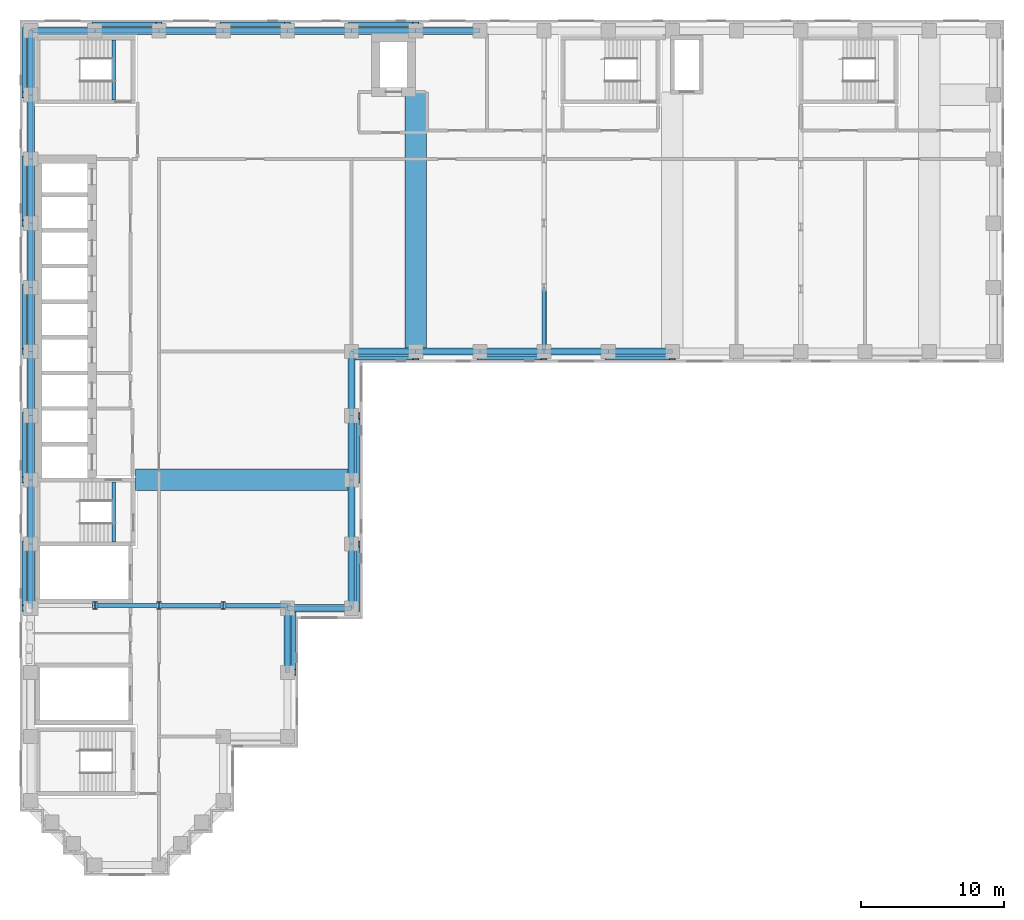
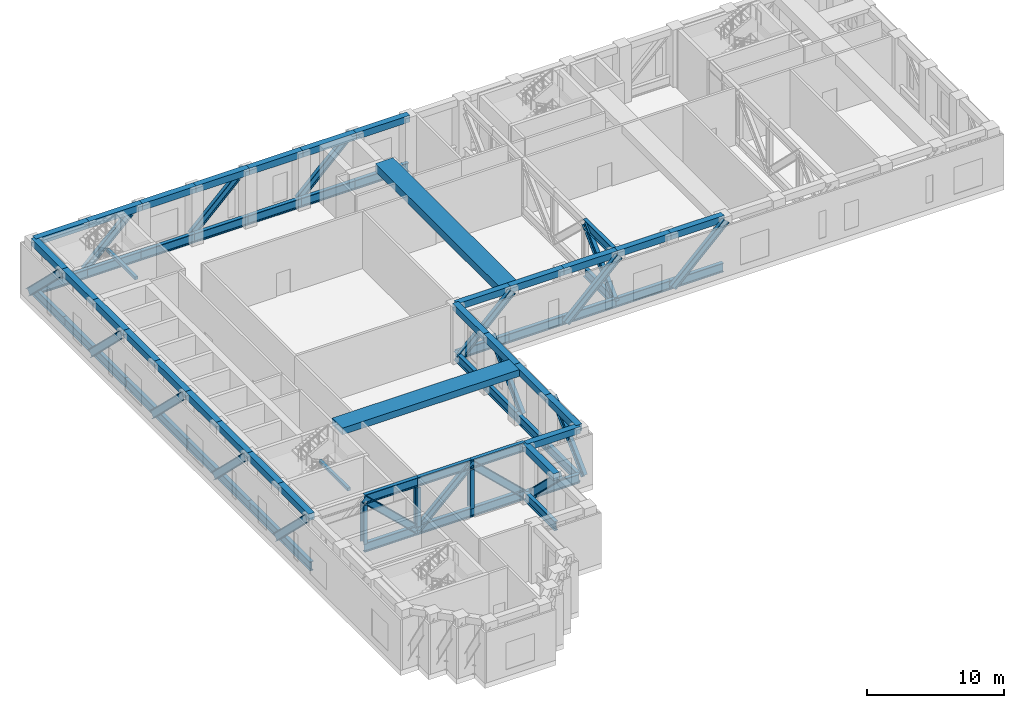
# One storey, part 2 of 14: 56 members, 31 beams.
"""IFC4 building model written with IfcOpenShell, lengths in metres."""

from ifc_helpers import new_model, si_unit, direction, frame, origin, origin_2d, place, context, subcontext, project, spatial, rectangle, i_section, extrude, material, material_profile, profile_set, type_object, element, save


model = new_model("IFC4")

# Units and contexts
model_context = context("Model", 3, precision=1e-05, world=origin(), true_north=direction((0.0, 1.0)))
body_context = subcontext(model_context, "Body", "Model", "MODEL_VIEW")
ifc_project = project(units=[si_unit("LENGTHUNIT", "METRE"), si_unit("AREAUNIT", "SQUARE_METRE"), si_unit("VOLUMEUNIT", "CUBIC_METRE"), si_unit("PLANEANGLEUNIT", "RADIAN"), si_unit("MASSUNIT", "GRAM", prefix="KILO")], contexts=[model_context])

# Site, building, storey
site_placement = place(None, origin())
site = spatial("IfcSite", under=ifc_project, at=site_placement, CompositionType="ELEMENT")
building_placement = place(site_placement, origin())
building = spatial("IfcBuilding", under=site, at=building_placement, Name="Firuza Court", CompositionType="ELEMENT")
storey_placement = place(building_placement, frame((0.0, 0.0, 173.60009765625)))
storey = spatial("IfcBuildingStorey", under=building, at=storey_placement, Name="L44", CompositionType="ELEMENT", Elevation=173.60009765625)

# Beams
ifc_material_1 = material(Name="Concrete C40/50", Category="concrete")
ifc_material_profile_1 = material_profile(ifc_material_1, rectangle(XDim=1.5, YDim=0.60009765625, at=origin_2d()), Name="RC 1500x600")
ifc_profile_set_1 = profile_set([ifc_material_profile_1], Name="Concrete C40/50")
beam_type_1 = type_object("IfcBeamType", Name="Band beam RC 1500x600 C40/50", PredefinedType="BEAM", material=ifc_profile_set_1)
beam_1_placement = place(storey_placement, frame((22.5, 27.0, 4.7998046875), z_axis=(-1.0, 0.0, 0.0), x_axis=(0.0, -1.0, 0.0)))
element("IfcBeam", 1, at=beam_1_placement, inside=storey, type_object=beam_type_1, Name="Band beam FB3 level L45", PredefinedType="BEAM", context=body_context, shape_type="SweptSolid", body=[
    extrude(rectangle(XDim=1.5, YDim=0.60009765625, at=origin_2d()), origin(), (0.0, 0.0, 1.0), 15.14990234375),
])
ifc_material_2 = material(Name="Concrete C40/50", Category="concrete")
ifc_material_profile_2 = material_profile(ifc_material_2, rectangle(XDim=1.5, YDim=0.699951171875, at=origin_2d()), Name="RC 1500x700")
ifc_profile_set_2 = profile_set([ifc_material_profile_2], Name="Concrete C40/50")
beam_type_2 = type_object("IfcBeamType", Name="Band beam RC 1500x700 C40/50", PredefinedType="BEAM", material=ifc_profile_set_2)
beam_2_placement = place(storey_placement, frame((27.0, 36.0, 4.75), z_axis=(0.0, 1.0, 0.0), x_axis=(-1.0, 0.0, 0.0)))
element("IfcBeam", 2, at=beam_2_placement, inside=storey, type_object=beam_type_2, Name="Band beam FB1 level L45", PredefinedType="BEAM", context=body_context, shape_type="SweptSolid", body=[
    extrude(rectangle(XDim=1.5, YDim=0.699951171875, at=origin_2d()), origin(), (0.0, 0.0, 1.0), 18.199951171875),
])

# Members
ifc_material_3 = material(Name="Steel S460M", Category="steel")
ifc_material_profile_3 = material_profile(ifc_material_3, i_section(OverallWidth=0.302978515625, OverallDepth=0.81396484375, WebThickness=0.02099609375, FlangeThickness=0.0400390625, FilletRadius=0.030029296875, at=origin_2d()), Name="HE 800 M")
ifc_profile_set_3 = profile_set([ifc_material_profile_3], Name="Steel S460M")
member_type_1 = type_object("IfcMemberType", Name="Belt truss chord HE 800 M S460M", PredefinedType="CHORD", material=ifc_profile_set_3)
for number, where, z_axis, x_axis, name in (
    (3, (18.0, 13.5, 0.406982421875), (0.0, 1.0, 0.0), (-1.0, 0.0, 0.0), "Belt truss chord BC1 L44"),
    (4, (18.0, 18.0, 0.406982421875), (1.0, 0.0, 0.0), (0.0, 1.0, 0.0), "Belt truss chord BC1 L44"),
    (5, (22.5, 18.0, 0.406982421875), (0.0, 1.0, 0.0), (-1.0, 0.0, 0.0), "Belt truss chord BC1 L44"),
    (6, (22.5, 22.5, 0.406982421875), (0.0, 1.0, 0.0), (-1.0, 0.0, 0.0), "Belt truss chord BC1 L44"),
    (7, (22.5, 27.0, 0.406982421875), (0.0, 1.0, 0.0), (-1.0, 0.0, 0.0), "Belt truss chord BC1 L44"),
    (8, (22.5, 31.5, 0.406982421875), (0.0, 1.0, 0.0), (-1.0, 0.0, 0.0), "Belt truss chord BC1 L44"),
    (9, (22.5, 36.0, 0.406982421875), (1.0, 0.0, 0.0), (0.0, 1.0, 0.0), "Belt truss chord BC1 L44"),
    (10, (27.0, 36.0, 0.406982421875), (1.0, 0.0, 0.0), (0.0, 1.0, 0.0), "Belt truss chord BC1 L44"),
    (11, (31.5, 36.0, 0.406982421875), (1.0, 0.0, 0.0), (0.0, 1.0, 0.0), "Belt truss chord BC1 L44"),
    (12, (36.0, 36.0, 0.406982421875), (1.0, 0.0, 0.0), (0.0, 1.0, 0.0), "Belt truss chord BC1 L44"),
    (13, (40.5, 36.0, 0.406982421875), (1.0, 0.0, 0.0), (0.0, 1.0, 0.0), "Belt truss chord BC1 L44"),
    (14, (31.5, 58.5, 0.406982421875), (-1.0, 0.0, 0.0), (0.0, -1.0, 0.0), "Belt truss chord BC1 L44"),
    (15, (27.0, 58.5, 0.406982421875), (-1.0, 0.0, 0.0), (0.0, -1.0, 0.0), "Belt truss chord BC1 L44"),
    (16, (22.5, 58.5, 0.406982421875), (-1.0, 0.0, 0.0), (0.0, -1.0, 0.0), "Belt truss chord BC1 L44"),
    (17, (18.0, 58.5, 0.406982421875), (-1.0, 0.0, 0.0), (0.0, -1.0, 0.0), "Belt truss chord BC1 L44"),
    (18, (13.5, 58.5, 0.406982421875), (-1.0, 0.0, 0.0), (0.0, -1.0, 0.0), "Belt truss chord BC1 L44"),
    (19, (9.0, 58.5, 0.406982421875), (-1.0, 0.0, 0.0), (0.0, -1.0, 0.0), "Belt truss chord BC1 L44"),
    (20, (4.5, 58.5, 0.406982421875), (-1.0, 0.0, 0.0), (0.0, -1.0, 0.0), "Belt truss chord BC1 L44"),
    (21, (0.0, 58.5, 0.406982421875), (0.0, -1.0, 0.0), (1.0, 0.0, 0.0), "Belt truss chord BC1 L44"),
    (22, (0.0, 54.0, 0.406982421875), (0.0, -1.0, 0.0), (1.0, 0.0, 0.0), "Belt truss chord BC1 L44"),
    (23, (0.0, 49.5, 0.406982421875), (0.0, -1.0, 0.0), (1.0, 0.0, 0.0), "Belt truss chord BC1 L44"),
    (24, (0.0, 45.0, 0.406982421875), (0.0, -1.0, 0.0), (1.0, 0.0, 0.0), "Belt truss chord BC1 L44"),
    (25, (0.0, 40.5, 0.406982421875), (0.0, -1.0, 0.0), (1.0, 0.0, 0.0), "Belt truss chord BC1 L44"),
    (26, (0.0, 36.0, 0.406982421875), (0.0, -1.0, 0.0), (1.0, 0.0, 0.0), "Belt truss chord BC1 L44"),
    (27, (0.0, 31.5, 0.406982421875), (0.0, -1.0, 0.0), (1.0, 0.0, 0.0), "Belt truss chord BC1 L44"),
    (28, (0.0, 27.0, 0.406982421875), (0.0, -1.0, 0.0), (1.0, 0.0, 0.0), "Belt truss chord BC1 L44"),
    (29, (0.0, 22.5, 0.406982421875), (0.0, -1.0, 0.0), (1.0, 0.0, 0.0), "Belt truss chord BC1 L44"),
    (30, (4.5, 18.198486328125, 0.406982421875), (1.0, 0.0, 0.0), (0.0, 1.0, 0.0), "Belt truss chord BC1 L44"),
    (31, (4.5, 18.198486328125, 4.69287109375), (1.0, 0.0, 0.0), (0.0, 1.0, 0.0), "Belt truss chord BC1 L44"),
    (32, (9.0, 18.198486328125, 0.406982421875), (1.0, 0.0, 0.0), (0.0, 1.0, 0.0), "Belt truss chord BC1 L44"),
    (33, (9.0, 18.198486328125, 4.69287109375), (1.0, 0.0, 0.0), (0.0, 1.0, 0.0), "Belt truss chord BC1 L44"),
    (34, (13.5, 18.198486328125, 0.406982421875), (1.0, 0.0, 0.0), (0.0, 1.0, 0.0), "Belt truss chord BC1 L44"),
    (35, (13.5, 18.198486328125, 4.69287109375), (1.0, 0.0, 0.0), (0.0, 1.0, 0.0), "Belt truss chord BC1 L44"),
    (36, (36.0, 36.0, 0.406982421875), (0.0, 1.0, 0.0), (-1.0, 0.0, 0.0), "Belt truss chord BC1 L44"),
    (37, (36.0, 36.0, 4.69287109375), (0.0, 1.0, 0.0), (-1.0, 0.0, 0.0), "Belt truss chord BC1 L44"),
):
    element("IfcMember", number, at=place(storey_placement, frame(where, z_axis=z_axis, x_axis=x_axis)), inside=storey, type_object=member_type_1, Name=name, PredefinedType="CHORD", context=body_context, shape_type="SweptSolid", body=[
        extrude(i_section(OverallWidth=0.302978515625, OverallDepth=0.81396484375, WebThickness=0.02099609375, FlangeThickness=0.0400390625, FilletRadius=0.030029296875, at=origin_2d()), origin(), (0.0, 0.0, 1.0), 4.5),
    ])
ifc_material_4 = material(Name="Steel S460M", Category="steel")
ifc_material_profile_4 = material_profile(ifc_material_4, i_section(OverallWidth=0.304931640625, OverallDepth=0.6201171875, WebThickness=0.02099609375, FlangeThickness=0.0400390625, FilletRadius=0.027099609375, at=origin_2d()), Name="HE 600 M")
ifc_profile_set_4 = profile_set([ifc_material_profile_4], Name="Steel S460M")
member_type_2 = type_object("IfcMemberType", Name="Belt truss diagonal HE 600 M S460M", PredefinedType="BRACE", material=ifc_profile_set_4)
for number, where, z_axis, x_axis, name in (
    (38, (18.449951171875, 18.0, 0.406982421875), (0.0, -0.715576978108, 0.698533884934), (1.0, 0.0, 0.0), "Belt truss diagonal BD1 L44"),
    (39, (22.949951171875, 18.0, 0.406982421875), (0.0, 0.715576978108, 0.698533884934), (-1.0, 0.0, 0.0), "Belt truss diagonal BD1 L44"),
    (40, (22.949951171875, 27.0, 0.406982421875), (0.0, 0.715576978108, 0.698533884934), (-1.0, 0.0, 0.0), "Belt truss diagonal BD1 L44"),
    (41, (22.5, 35.550048828125, 0.406982421875), (0.715576978108, 0.0, 0.698533884934), (0.0, 1.0, 0.0), "Belt truss diagonal BD1 L44"),
    (42, (31.5, 35.550048828125, 0.406982421875), (0.715576978108, 0.0, 0.698533884934), (0.0, 1.0, 0.0), "Belt truss diagonal BD1 L44"),
    (43, (40.5, 35.550048828125, 0.406982421875), (0.715576978108, 0.0, 0.698533884934), (0.0, 1.0, 0.0), "Belt truss diagonal BD1 L44"),
    (44, (22.5, 58.949951171875, 0.406982421875), (0.715576978108, 0.0, 0.698533884934), (0.0, 1.0, 0.0), "Belt truss diagonal BD1 L44"),
    (45, (13.5, 58.949951171875, 0.406982421875), (0.715576978108, 0.0, 0.698533884934), (0.0, 1.0, 0.0), "Belt truss diagonal BD1 L44"),
    (46, (4.5, 58.949951171875, 0.406982421875), (0.715576978108, 0.0, 0.698533884934), (0.0, 1.0, 0.0), "Belt truss diagonal BD1 L44"),
    (47, (-0.449951171875, 58.5, 0.406982421875), (0.0, -0.715576978108, 0.698533884934), (1.0, 0.0, 0.0), "Belt truss diagonal BD1 L44"),
    (48, (-0.449951171875, 49.5, 0.406982421875), (0.0, -0.715576978108, 0.698533884934), (1.0, 0.0, 0.0), "Belt truss diagonal BD1 L44"),
    (49, (-0.449951171875, 40.5, 0.406982421875), (0.0, -0.715576978108, 0.698533884934), (1.0, 0.0, 0.0), "Belt truss diagonal BD1 L44"),
    (50, (-0.449951171875, 31.5, 0.406982421875), (0.0, -0.715576978108, 0.698533884934), (1.0, 0.0, 0.0), "Belt truss diagonal BD1 L44"),
    (51, (-0.449951171875, 22.5, 0.406982421875), (0.0, -0.715576978108, 0.698533884934), (1.0, 0.0, 0.0), "Belt truss diagonal BD1 L44"),
):
    element("IfcMember", number, at=place(storey_placement, frame(where, z_axis=z_axis, x_axis=x_axis)), inside=storey, type_object=member_type_2, Name=name, PredefinedType="BRACE", context=body_context, shape_type="SweptSolid", body=[
        extrude(i_section(OverallWidth=0.304931640625, OverallDepth=0.6201171875, WebThickness=0.02099609375, FlangeThickness=0.0400390625, FilletRadius=0.027099609375, at=origin_2d()), origin(), (0.0, 0.0, 1.0), 6.28857421875),
    ])
for number, where, z_axis, x_axis, name in (
    (52, (9.0, 18.198486328125, 0.406982421875), (-0.72412391677, 0.0, 0.689669887093), (0.0, -1.0, 0.0), "Belt truss diagonal BD1 L44"),
    (53, (9.0, 18.198486328125, 0.406982421875), (0.72412391677, 0.0, 0.689669887093), (0.0, 1.0, 0.0), "Belt truss diagonal BD1 L44"),
    (54, (18.0, 18.198486328125, 0.406982421875), (-0.72412391677, 0.0, 0.689669887093), (0.0, -1.0, 0.0), "Belt truss diagonal BD1 L44"),
    (55, (36.0, 36.0, 0.406982421875), (0.0, 0.72412391677, 0.689669887093), (-1.0, 0.0, 0.0), "Belt truss diagonal BD1 L44"),
):
    element("IfcMember", number, at=place(storey_placement, frame(where, z_axis=z_axis, x_axis=x_axis)), inside=storey, type_object=member_type_2, Name=name, PredefinedType="BRACE", context=body_context, shape_type="SweptSolid", body=[
        extrude(i_section(OverallWidth=0.304931640625, OverallDepth=0.6201171875, WebThickness=0.02099609375, FlangeThickness=0.0400390625, FilletRadius=0.027099609375, at=origin_2d()), origin(), (0.0, 0.0, 1.0), 6.21435546875),
    ])
ifc_material_5 = material(Name="Steel S460M", Category="steel")
ifc_material_profile_5 = material_profile(ifc_material_5, i_section(OverallWidth=0.305908203125, OverallDepth=0.52392578125, WebThickness=0.02099609375, FlangeThickness=0.0400390625, FilletRadius=0.027099609375, at=origin_2d()), Name="HE 500 M")
ifc_profile_set_5 = profile_set([ifc_material_profile_5], Name="Steel S460M")
member_type_3 = type_object("IfcMemberType", Name="Belt truss post HE 500 M S460M", PredefinedType="POST", material=ifc_profile_set_5)
for number, where, z_axis, x_axis, name in (
    (56, (4.5, 18.198486328125, 0.81396484375), (0.0, 0.0, 1.0), (1.0, 0.0, 0.0), "Belt truss post BP1 L44"),
    (57, (9.0, 18.198486328125, 0.81396484375), (0.0, 0.0, 1.0), (1.0, 0.0, 0.0), "Belt truss post BP1 L44"),
    (58, (13.5, 18.198486328125, 0.81396484375), (0.0, 0.0, 1.0), (1.0, 0.0, 0.0), "Belt truss post BP1 L44"),
):
    element("IfcMember", number, at=place(storey_placement, frame(where, z_axis=z_axis, x_axis=x_axis)), inside=storey, type_object=member_type_3, Name=name, PredefinedType="POST", context=body_context, shape_type="SweptSolid", body=[
        extrude(i_section(OverallWidth=0.305908203125, OverallDepth=0.52392578125, WebThickness=0.02099609375, FlangeThickness=0.0400390625, FilletRadius=0.027099609375, at=origin_2d()), origin(), (0.0, 0.0, 1.0), 3.471923828125),
    ])

# Beams
ifc_material_6 = material(Name="Concrete C40/50", Category="concrete")
ifc_material_profile_6 = material_profile(ifc_material_6, rectangle(XDim=0.25, YDim=0.25, at=origin_2d()), Name="RC 250x250")
ifc_profile_set_6 = profile_set([ifc_material_profile_6], Name="Concrete C40/50")
beam_type_3 = type_object("IfcBeamType", Name="Landing beam RC 250x250 C40/50", PredefinedType="BEAM", material=ifc_profile_set_6)
for number, where, z_axis, x_axis, name in (
    (59, (5.824951171875, 22.64990234375, 2.375), (0.0, 1.0, 0.0), (-1.0, 0.0, 0.0), "Landing beam S2 L44"),
    (60, (5.824951171875, 53.64990234375, 2.375), (0.0, 1.0, 0.0), (-1.0, 0.0, 0.0), "Landing beam S3 L44"),
):
    element("IfcBeam", number, at=place(storey_placement, frame(where, z_axis=z_axis, x_axis=x_axis)), inside=storey, type_object=beam_type_3, Name=name, PredefinedType="BEAM", context=body_context, shape_type="SweptSolid", body=[
        extrude(rectangle(XDim=0.25, YDim=0.25, at=origin_2d()), origin(), (0.0, 0.0, 1.0), 4.2001953125),
    ])
ifc_material_7 = material(Name="Concrete C40/50", Category="concrete")
ifc_material_profile_7 = material_profile(ifc_material_7, rectangle(XDim=0.5, YDim=0.60009765625, at=origin_2d()), Name="RC 500x600")
ifc_profile_set_7 = profile_set([ifc_material_profile_7], Name="Concrete C40/50")
beam_type_4 = type_object("IfcBeamType", Name="Spandrel beam RC 500x600 C40/50", PredefinedType="BEAM", material=ifc_profile_set_7)
for number, where, z_axis, x_axis, name in (
    (61, (0.0, 22.5, 4.7998046875), (0.0, -1.0, 0.0), (1.0, 0.0, 0.0), "Spandrel beam SP13 level L45"),
    (62, (0.0, 27.0, 4.7998046875), (0.0, -1.0, 0.0), (1.0, 0.0, 0.0), "Spandrel beam SP13 level L45"),
    (63, (0.0, 31.5, 4.7998046875), (0.0, -1.0, 0.0), (1.0, 0.0, 0.0), "Spandrel beam SP13 level L45"),
    (64, (0.0, 36.0, 4.7998046875), (0.0, -1.0, 0.0), (1.0, 0.0, 0.0), "Spandrel beam SP13 level L45"),
    (65, (0.0, 40.5, 4.7998046875), (0.0, -1.0, 0.0), (1.0, 0.0, 0.0), "Spandrel beam SP13 level L45"),
    (66, (0.0, 45.0, 4.7998046875), (0.0, -1.0, 0.0), (1.0, 0.0, 0.0), "Spandrel beam SP13 level L45"),
    (67, (0.0, 49.5, 4.7998046875), (0.0, -1.0, 0.0), (1.0, 0.0, 0.0), "Spandrel beam SP13 level L45"),
    (68, (0.0, 54.0, 4.7998046875), (0.0, -1.0, 0.0), (1.0, 0.0, 0.0), "Spandrel beam SP13 level L45"),
    (69, (0.0, 58.5, 4.7998046875), (0.0, -1.0, 0.0), (1.0, 0.0, 0.0), "Spandrel beam SP13 level L45"),
    (70, (4.5, 58.5, 4.7998046875), (-1.0, 0.0, 0.0), (0.0, -1.0, 0.0), "Spandrel beam SP13 level L45"),
    (71, (9.0, 58.5, 4.7998046875), (-1.0, 0.0, 0.0), (0.0, -1.0, 0.0), "Spandrel beam SP13 level L45"),
    (72, (13.5, 58.5, 4.7998046875), (-1.0, 0.0, 0.0), (0.0, -1.0, 0.0), "Spandrel beam SP13 level L45"),
    (73, (18.0, 13.5, 4.7998046875), (0.0, 1.0, 0.0), (-1.0, 0.0, 0.0), "Spandrel beam SP13 level L45"),
    (74, (18.0, 18.0, 4.7998046875), (1.0, 0.0, 0.0), (0.0, 1.0, 0.0), "Spandrel beam SP13 level L45"),
    (75, (18.0, 58.5, 4.7998046875), (-1.0, 0.0, 0.0), (0.0, -1.0, 0.0), "Spandrel beam SP13 level L45"),
    (76, (22.5, 18.0, 4.7998046875), (0.0, 1.0, 0.0), (-1.0, 0.0, 0.0), "Spandrel beam SP13 level L45"),
    (77, (22.5, 22.5, 4.7998046875), (0.0, 1.0, 0.0), (-1.0, 0.0, 0.0), "Spandrel beam SP13 level L45"),
    (78, (22.5, 27.0, 4.7998046875), (0.0, 1.0, 0.0), (-1.0, 0.0, 0.0), "Spandrel beam SP13 level L45"),
    (79, (22.5, 31.5, 4.7998046875), (0.0, 1.0, 0.0), (-1.0, 0.0, 0.0), "Spandrel beam SP13 level L45"),
    (80, (22.5, 36.0, 4.7998046875), (1.0, 0.0, 0.0), (0.0, 1.0, 0.0), "Spandrel beam SP13 level L45"),
    (81, (22.5, 58.5, 4.7998046875), (-1.0, 0.0, 0.0), (0.0, -1.0, 0.0), "Spandrel beam SP13 level L45"),
    (82, (27.0, 36.0, 4.7998046875), (1.0, 0.0, 0.0), (0.0, 1.0, 0.0), "Spandrel beam SP13 level L45"),
    (83, (27.0, 58.5, 4.7998046875), (-1.0, 0.0, 0.0), (0.0, -1.0, 0.0), "Spandrel beam SP13 level L45"),
    (84, (31.5, 36.0, 4.7998046875), (1.0, 0.0, 0.0), (0.0, 1.0, 0.0), "Spandrel beam SP13 level L45"),
    (85, (31.5, 58.5, 4.7998046875), (-1.0, 0.0, 0.0), (0.0, -1.0, 0.0), "Spandrel beam SP13 level L45"),
    (86, (36.0, 36.0, 4.7998046875), (1.0, 0.0, 0.0), (0.0, 1.0, 0.0), "Spandrel beam SP13 level L45"),
    (87, (40.5, 36.0, 4.7998046875), (1.0, 0.0, 0.0), (0.0, 1.0, 0.0), "Spandrel beam SP13 level L45"),
):
    element("IfcBeam", number, at=place(storey_placement, frame(where, z_axis=z_axis, x_axis=x_axis)), inside=storey, type_object=beam_type_4, Name=name, PredefinedType="BEAM", context=body_context, shape_type="SweptSolid", body=[
        extrude(rectangle(XDim=0.5, YDim=0.60009765625, at=origin_2d()), origin(), (0.0, 0.0, 1.0), 4.5),
    ])

save(model, "model.ifc")
